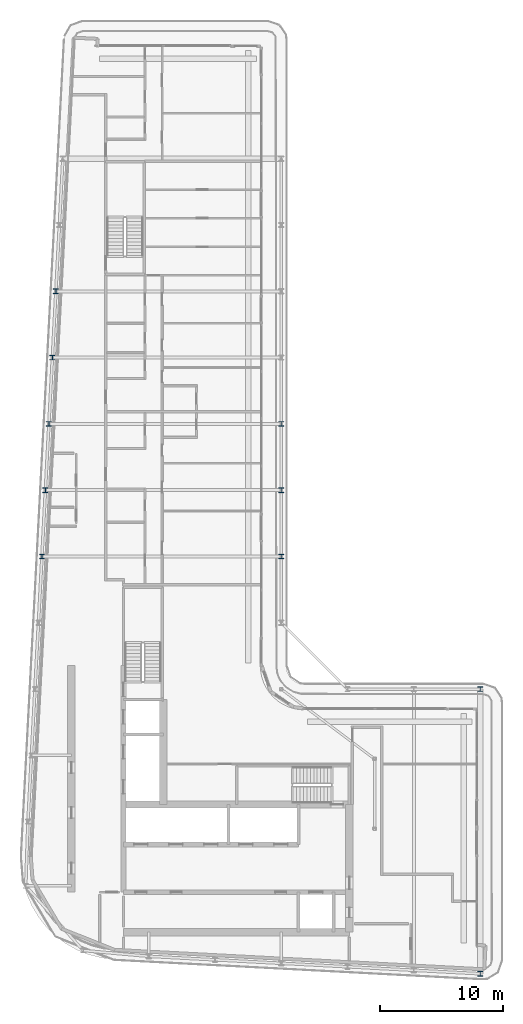
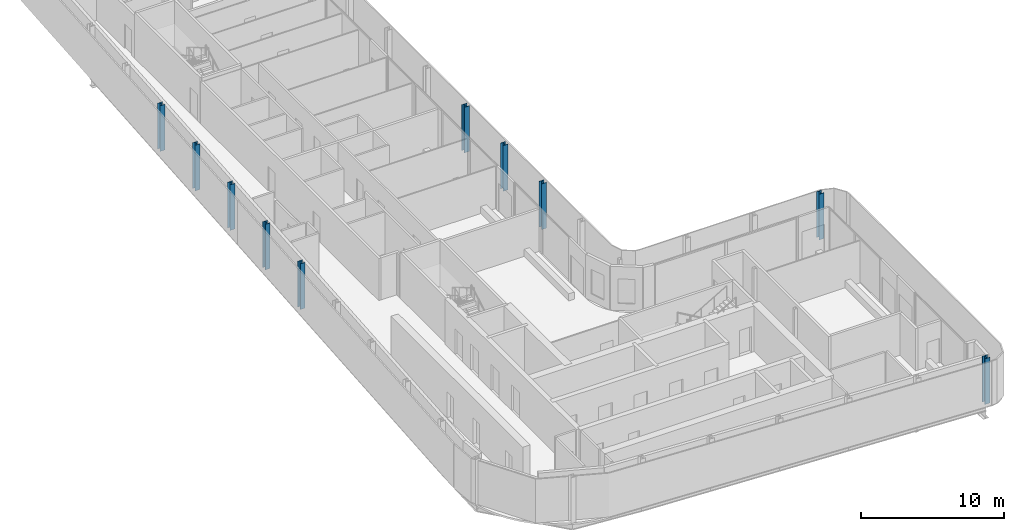
# One storey, part 3 of 21: 10 columns.
"""IFC4 building model written with IfcOpenShell, lengths in metres."""

from ifc_helpers import new_model, si_unit, direction, frame, origin, origin_2d, place, context, subcontext, project, spatial, i_section, extrude, material, material_profile, profile_set, type_object, element, save


model = new_model("IFC4")

# Units and contexts
model_context = context("Model", 3, precision=1e-05, world=origin(), true_north=direction((0.0, 1.0)))
body_context = subcontext(model_context, "Body", "Model", "MODEL_VIEW")
ifc_project = project(units=[si_unit("LENGTHUNIT", "METRE"), si_unit("AREAUNIT", "SQUARE_METRE"), si_unit("VOLUMEUNIT", "CUBIC_METRE"), si_unit("PLANEANGLEUNIT", "RADIAN"), si_unit("MASSUNIT", "GRAM", prefix="KILO")], contexts=[model_context])

# Site, building, storey
site_placement = place(None, origin())
site = spatial("IfcSite", under=ifc_project, at=site_placement, CompositionType="ELEMENT")
building_placement = place(site_placement, origin())
building = spatial("IfcBuilding", under=site, at=building_placement, Name="Kheshtan School and Residences Tower", CompositionType="ELEMENT")
storey_placement = place(building_placement, frame((0.0, 0.0, 282.5)))
storey = spatial("IfcBuildingStorey", under=building, at=storey_placement, Name="L66", CompositionType="ELEMENT", Elevation=282.5)

# Columns
ifc_material = material(Name="Steel ASTM A992 Grade 50", Category="steel")
ifc_material_profile = material_profile(ifc_material, i_section(OverallWidth=0.39501953125, OverallDepth=0.3798828125, WebThickness=0.018798828125, FlangeThickness=0.0302734375, FilletRadius=0.011474609375, at=origin_2d()), Name="W360x237")
ifc_profile_set = profile_set([ifc_material_profile], Name="Steel ASTM A992 Grade 50")
column_type = type_object("IfcColumnType", Name="Column C5 W360x237 ASTM A992 Grade 50", PredefinedType="COLUMN", material=ifc_profile_set)
for number, where, z_axis, x_axis, name in (
    (1, (63.800048828125, 22.410888671875, 0.0), (0.0, 0.0, 1.0), (1.0, 0.0, 0.0), "Column C016"),
    (2, (63.800048828125, 45.60009765625, 0.0), (0.0, 0.0, 1.0), (1.0, 0.0, 0.0), "Column C063"),
    (3, (28.10595703125, 56.39990234375, 0.0), (0.0, 0.0, 1.0), (1.0, 0.0, 0.0), "Column C080"),
    (4, (47.60009765625, 56.39990234375, 0.0), (0.0, 0.0, 1.0), (1.0, 0.0, 0.0), "Column C081"),
    (5, (28.389892578125, 61.800048828125, 0.0), (0.0, 0.0, 1.0), (1.0, 0.0, 0.0), "Column C082"),
    (6, (47.60009765625, 61.800048828125, 0.0), (0.0, 0.0, 1.0), (1.0, 0.0, 0.0), "Column C083"),
    (7, (28.674072265625, 67.199951171875, 0.0), (0.0, 0.0, 1.0), (1.0, 0.0, 0.0), "Column C084"),
    (8, (47.60009765625, 67.199951171875, 0.0), (0.0, 0.0, 1.0), (1.0, 0.0, 0.0), "Column C085"),
    (9, (28.9580078125, 72.60009765625, 0.0), (0.0, 0.0, 1.0), (1.0, 0.0, 0.0), "Column C086"),
    (10, (29.242919921875, 78.0, 0.0), (0.0, 0.0, 1.0), (1.0, 0.0, 0.0), "Column C088"),
):
    element("IfcColumn", number, at=place(storey_placement, frame(where, z_axis=z_axis, x_axis=x_axis)), inside=storey, type_object=column_type, Name=name, PredefinedType="COLUMN", context=body_context, shape_type="SweptSolid", body=[
        extrude(i_section(OverallWidth=0.39501953125, OverallDepth=0.3798828125, WebThickness=0.018798828125, FlangeThickness=0.0302734375, FilletRadius=0.011474609375, at=origin_2d()), origin(), (0.0, 0.0, 1.0), 3.89990234375),
    ])

save(model, "model.ifc")
